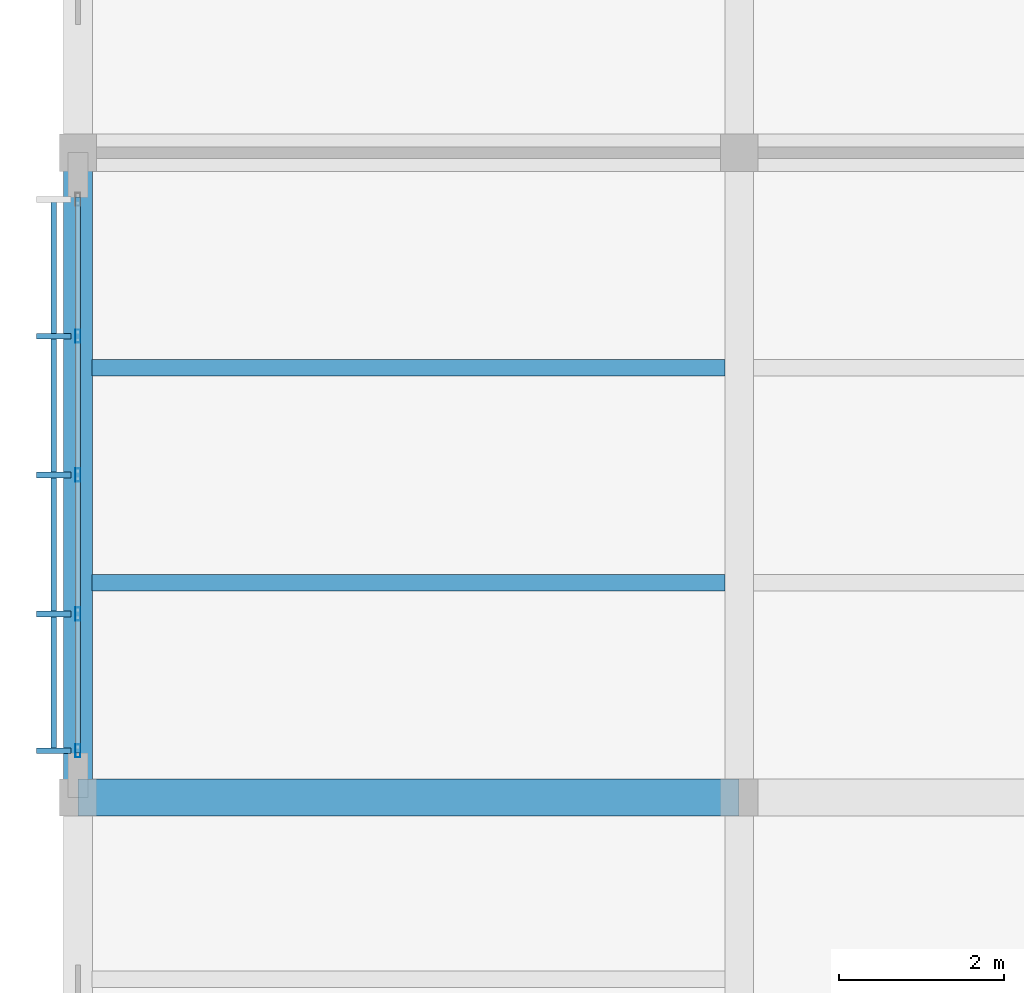
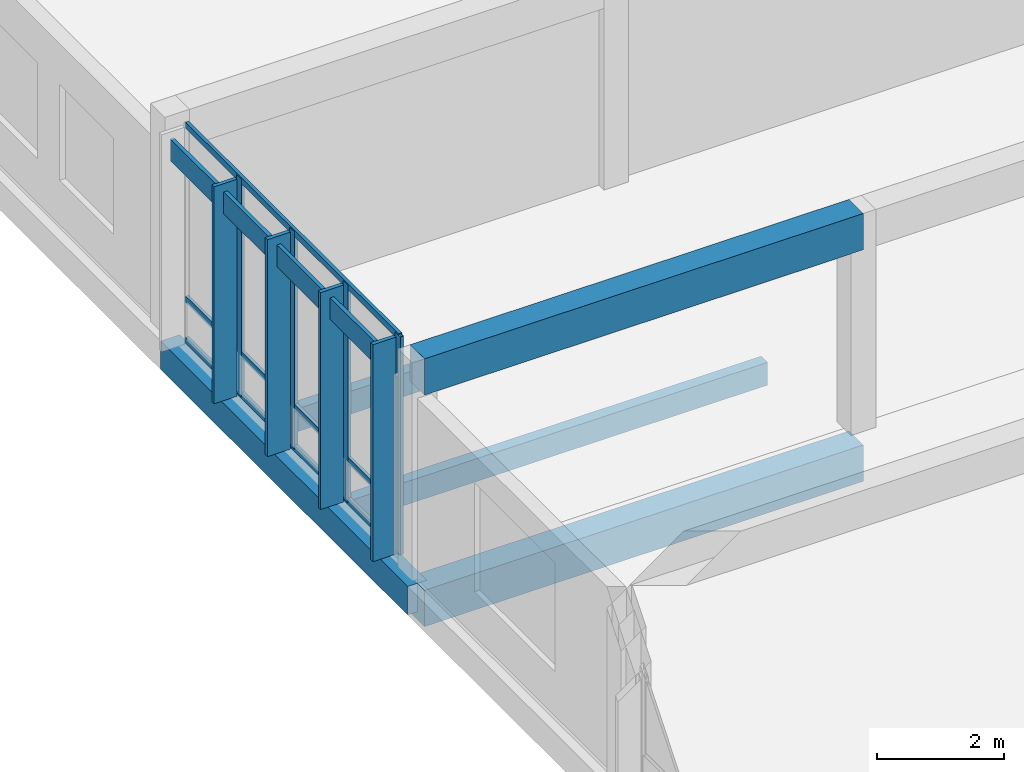
# One storey, part 11 of 107: 12 members, 5 beams, 1 element without a shape of its own.
"""IFC4 building model written with IfcOpenShell, lengths in metres."""

from ifc_helpers import new_model, si_unit, direction, frame, origin, origin_2d, place, context, subcontext, project, spatial, rectangle, hollow_rectangle, extrude, material, material_profile, profile_set, type_object, element, aggregate, save


model = new_model("IFC4")

# Units and contexts
model_context = context("Model", 3, precision=1e-05, world=origin(), true_north=direction((0.0, 1.0)))
body_context = subcontext(model_context, "Body", "Model", "MODEL_VIEW")
ifc_project = project(units=[si_unit("LENGTHUNIT", "METRE"), si_unit("AREAUNIT", "SQUARE_METRE"), si_unit("VOLUMEUNIT", "CUBIC_METRE"), si_unit("PLANEANGLEUNIT", "RADIAN"), si_unit("MASSUNIT", "GRAM", prefix="KILO")], contexts=[model_context])

# Site, building, storey
site_placement = place(None, origin())
site = spatial("IfcSite", under=ifc_project, at=site_placement, CompositionType="ELEMENT")
building_placement = place(site_placement, origin())
building = spatial("IfcBuilding", under=site, at=building_placement, Name="Chiffa Square Polytechnic", CompositionType="ELEMENT")
storey_placement = place(building_placement, frame((0.0, 0.0, 13.800048828125)))
storey = spatial("IfcBuildingStorey", under=building, at=storey_placement, Name="L03", CompositionType="ELEMENT", Elevation=13.800048828125)

# Beams
ifc_material_1 = material(Name="Concrete C35/45", Category="concrete")
ifc_material_profile_1 = material_profile(ifc_material_1, rectangle(XDim=0.35009765625, YDim=0.550048828125, at=origin_2d()), Name="RC 350x550")
ifc_profile_set_1 = profile_set([ifc_material_profile_1], Name="Concrete C35/45")
beam_type_1 = type_object("IfcBeamType", Name="BM-RC-350X550", PredefinedType="BEAM", material=ifc_profile_set_1)
beam_placement = place(storey_placement, frame((0.0, 57.60009765625, -0.53515625), z_axis=(0.0, 1.0, 0.0), x_axis=(-1.0, 0.0, 0.0)))
element("IfcBeam", 1, at=beam_placement, inside=storey, type_object=beam_type_1, Name="Primary floor girder BM-V6-L03-Y-0000-0576", PredefinedType="BEAM", context=body_context, shape_type="SweptSolid", body=[
    extrude(rectangle(XDim=0.35009765625, YDim=0.550048828125, at=origin_2d()), origin(), (0.0, 0.0, 1.0), 7.7998046875),
])
ifc_material_profile_2 = material_profile(ifc_material_1, rectangle(XDim=0.449951171875, YDim=0.699951171875, at=origin_2d()), Name="RC 450x700")
ifc_profile_set_2 = profile_set([ifc_material_profile_2], Name="Concrete C35/45")
beam_type_2 = type_object("IfcBeamType", Name="BM-RC-450X700", PredefinedType="BEAM", material=ifc_profile_set_2)
for number, where, z_axis, x_axis, name in (
    (2, (0.0, 57.60009765625, -0.610107421875), (1.0, 0.0, 0.0), (0.0, 1.0, 0.0), "Primary floor girder BM-V6-L03-X-0000-0576"),
    (3, (0.0, 57.60009765625, 3.849853515625), (1.0, 0.0, 0.0), (0.0, 1.0, 0.0), "Sawtooth monitor sill beam BM-V6-SAWTIE-Y3-1"),
):
    element("IfcBeam", number, at=place(storey_placement, frame(where, z_axis=z_axis, x_axis=x_axis)), inside=storey, type_object=beam_type_2, Name=name, PredefinedType="BEAM", context=body_context, shape_type="SweptSolid", body=[
        extrude(rectangle(XDim=0.449951171875, YDim=0.699951171875, at=origin_2d()), origin(), (0.0, 0.0, 1.0), 8.0),
    ])

# Curtain wall, members
ifc_material_2 = material(Name="Aluminium EN AW-6060 T66 and glulam shading", Category="wood")
curtain_wall_type = type_object("IfcCurtainWallType", Name="CW-VERT-300X380", PredefinedType="USERDEFINED", material=ifc_material_2)
curtain_wall_placement = place(storey_placement, origin())
curtain_wall = element("IfcCurtainWall", 4, at=curtain_wall_placement, inside=storey, type_object=curtain_wall_type, Name="Curtain wall CW-V6-L03-275", ObjectType="CURTAIN WALL", PredefinedType="USERDEFINED")
ifc_material_3 = material(Name="Aluminium EN AW-6060 T66", Category="aluminium")
ifc_material_profile_3 = material_profile(ifc_material_3, hollow_rectangle(XDim=0.06005859375, YDim=0.159912109375, WallThickness=0.00390625, at=origin_2d()), Name="ALU 60x160x4")
ifc_profile_set_3 = profile_set([ifc_material_profile_3], Name="Aluminium EN AW-6060 T66")
member_type_1 = type_object("IfcMemberType", Name="CWM-ALU-65X150", PredefinedType="MULLION", material=ifc_profile_set_3)
member_1_placement = place(storey_placement, frame((0.0, 63.179931640625, 0.0), z_axis=(0.0, 0.0, 1.0), x_axis=(1.0, 0.0, 0.0)))
member_1 = element("IfcMember", 5, at=member_1_placement, type_object=member_type_1, Name="Curtain wall mullion CW-V6-L03-275-M01", PredefinedType="MULLION", context=body_context, shape_type="SweptSolid", body=[
    extrude(hollow_rectangle(XDim=0.06005859375, YDim=0.159912109375, WallThickness=0.00390625, at=origin_2d()), origin(), (0.0, 0.0, 1.0), 4.199951171875),
])
member_2_placement = place(storey_placement, frame((0.0, 61.5, 0.0), z_axis=(0.0, 0.0, 1.0), x_axis=(1.0, 0.0, 0.0)))
member_2 = element("IfcMember", 6, at=member_2_placement, type_object=member_type_1, Name="Curtain wall mullion CW-V6-L03-275-M02", PredefinedType="MULLION", context=body_context, shape_type="SweptSolid", body=[
    extrude(hollow_rectangle(XDim=0.06005859375, YDim=0.159912109375, WallThickness=0.00390625, at=origin_2d()), origin(), (0.0, 0.0, 1.0), 4.199951171875),
])
member_3_placement = place(storey_placement, frame((0.0, 59.820068359375, 0.0), z_axis=(0.0, 0.0, 1.0), x_axis=(1.0, 0.0, 0.0)))
member_3 = element("IfcMember", 7, at=member_3_placement, type_object=member_type_1, Name="Curtain wall mullion CW-V6-L03-275-M03", PredefinedType="MULLION", context=body_context, shape_type="SweptSolid", body=[
    extrude(hollow_rectangle(XDim=0.06005859375, YDim=0.159912109375, WallThickness=0.00390625, at=origin_2d()), origin(), (0.0, 0.0, 1.0), 4.199951171875),
])
member_4_placement = place(storey_placement, frame((0.0, 58.1650390625, 0.0), z_axis=(0.0, 0.0, 1.0), x_axis=(1.0, 0.0, 0.0)))
member_4 = element("IfcMember", 8, at=member_4_placement, type_object=member_type_1, Name="Curtain wall mullion CW-V6-L03-275-M04", PredefinedType="MULLION", context=body_context, shape_type="SweptSolid", body=[
    extrude(hollow_rectangle(XDim=0.06005859375, YDim=0.159912109375, WallThickness=0.00390625, at=origin_2d()), origin(), (0.0, 0.0, 1.0), 4.199951171875),
])
ifc_material_4 = material(Name="Glulam GL28h", Category="wood")
ifc_material_profile_4 = material_profile(ifc_material_4, rectangle(XDim=0.070068359375, YDim=0.419921875, at=origin_2d()), Name="GL28h 70x420")
ifc_profile_set_4 = profile_set([ifc_material_profile_4], Name="Glulam GL28h")
member_type_2 = type_object("IfcMemberType", Name="CWM-GL-70X420", PredefinedType="MULLION", material=ifc_profile_set_4)
member_5_placement = place(storey_placement, frame((-0.2919921875, 63.179931640625, 0.010009765625), z_axis=(0.0, 0.0, 1.0), x_axis=(0.0, -1.0, 0.0)))
member_5 = element("IfcMember", 9, at=member_5_placement, type_object=member_type_2, Name="Exterior glulam solar fin CW-V6-L03-275-FN01", PredefinedType="MULLION", context=body_context, shape_type="SweptSolid", body=[
    extrude(rectangle(XDim=0.070068359375, YDim=0.419921875, at=origin_2d()), origin(), (0.0, 0.0, 1.0), 4.179931640625),
])
member_6_placement = place(storey_placement, frame((-0.2919921875, 61.5, 0.010009765625), z_axis=(0.0, 0.0, 1.0), x_axis=(0.0, -1.0, 0.0)))
member_6 = element("IfcMember", 10, at=member_6_placement, type_object=member_type_2, Name="Exterior glulam solar fin CW-V6-L03-275-FN02", PredefinedType="MULLION", context=body_context, shape_type="SweptSolid", body=[
    extrude(rectangle(XDim=0.070068359375, YDim=0.419921875, at=origin_2d()), origin(), (0.0, 0.0, 1.0), 4.179931640625),
])
member_7_placement = place(storey_placement, frame((-0.2919921875, 59.820068359375, 0.010009765625), z_axis=(0.0, 0.0, 1.0), x_axis=(0.0, -1.0, 0.0)))
member_7 = element("IfcMember", 11, at=member_7_placement, type_object=member_type_2, Name="Exterior glulam solar fin CW-V6-L03-275-FN03", PredefinedType="MULLION", context=body_context, shape_type="SweptSolid", body=[
    extrude(rectangle(XDim=0.070068359375, YDim=0.419921875, at=origin_2d()), origin(), (0.0, 0.0, 1.0), 4.179931640625),
])
member_8_placement = place(storey_placement, frame((-0.2919921875, 58.1650390625, 0.010009765625), z_axis=(0.0, 0.0, 1.0), x_axis=(0.0, -1.0, 0.0)))
member_8 = element("IfcMember", 12, at=member_8_placement, type_object=member_type_2, Name="Exterior glulam solar fin CW-V6-L03-275-FN04", PredefinedType="MULLION", context=body_context, shape_type="SweptSolid", body=[
    extrude(rectangle(XDim=0.070068359375, YDim=0.419921875, at=origin_2d()), origin(), (0.0, 0.0, 1.0), 4.179931640625),
])
ifc_material_profile_5 = material_profile(ifc_material_3, hollow_rectangle(XDim=0.06005859375, YDim=0.1201171875, WallThickness=0.00390625, at=origin_2d()), Name="ALU 60x120x4")
ifc_profile_set_5 = profile_set([ifc_material_profile_5], Name="Aluminium EN AW-6060 T66")
member_type_3 = type_object("IfcMemberType", Name="CWT-ALU-65X120", PredefinedType="USERDEFINED", material=ifc_profile_set_5)
member_9_placement = place(storey_placement, frame((0.0, 64.862060546875, 0.030029296875), z_axis=(0.0, -1.0, 0.0), x_axis=(1.0, 0.0, 0.0)))
member_9 = element("IfcMember", 13, at=member_9_placement, type_object=member_type_3, Name="Curtain wall transom CW-V6-L03-275-T01", ObjectType="TRANSOM", PredefinedType="USERDEFINED", context=body_context, shape_type="SweptSolid", body=[
    extrude(hollow_rectangle(XDim=0.06005859375, YDim=0.1201171875, WallThickness=0.00390625, at=origin_2d()), origin(), (0.0, 0.0, 1.0), 6.72412109375),
])
member_10_placement = place(storey_placement, frame((0.0, 64.862060546875, 0.820068359375), z_axis=(0.0, -1.0, 0.0), x_axis=(1.0, 0.0, 0.0)))
member_10 = element("IfcMember", 14, at=member_10_placement, type_object=member_type_3, Name="Curtain wall transom CW-V6-L03-275-T02", ObjectType="TRANSOM", PredefinedType="USERDEFINED", context=body_context, shape_type="SweptSolid", body=[
    extrude(hollow_rectangle(XDim=0.06005859375, YDim=0.1201171875, WallThickness=0.00390625, at=origin_2d()), origin(), (0.0, 0.0, 1.0), 6.72412109375),
])
member_11_placement = place(storey_placement, frame((0.0, 64.862060546875, 4.169921875), z_axis=(0.0, -1.0, 0.0), x_axis=(1.0, 0.0, 0.0)))
member_11 = element("IfcMember", 15, at=member_11_placement, type_object=member_type_3, Name="Curtain wall transom CW-V6-L03-275-T03", ObjectType="TRANSOM", PredefinedType="USERDEFINED", context=body_context, shape_type="SweptSolid", body=[
    extrude(hollow_rectangle(XDim=0.06005859375, YDim=0.1201171875, WallThickness=0.00390625, at=origin_2d()), origin(), (0.0, 0.0, 1.0), 6.72412109375),
])
ifc_material_profile_6 = material_profile(ifc_material_4, rectangle(XDim=0.070068359375, YDim=0.419921875, at=origin_2d()), Name="GL28h 70x420")
ifc_profile_set_6 = profile_set([ifc_material_profile_6], Name="Glulam GL28h")
member_type_4 = type_object("IfcMemberType", Name="CWT-GL-70X420", PredefinedType="USERDEFINED", material=ifc_profile_set_6)
member_12_placement = place(storey_placement, frame((-0.2919921875, 64.8349609375, 3.820068359375), z_axis=(0.0, -1.0, 0.0), x_axis=(1.0, 0.0, 0.0)))
member_12 = element("IfcMember", 16, at=member_12_placement, type_object=member_type_4, Name="Exterior glulam brise-soleil CW-V6-L03-275-BS01", ObjectType="TRANSOM", PredefinedType="USERDEFINED", context=body_context, shape_type="SweptSolid", body=[
    extrude(rectangle(XDim=0.070068359375, YDim=0.419921875, at=origin_2d()), origin(), (0.0, 0.0, 1.0), 6.669921875),
])
aggregate(curtain_wall, [member_1, member_5, member_2, member_6, member_3, member_7, member_4, member_8, member_9, member_10, member_11, member_12])

# Beams
ifc_material_profile_7 = material_profile(ifc_material_4, rectangle(XDim=0.199951171875, YDim=0.43994140625, at=origin_2d()), Name="GL28h 200x440")
ifc_profile_set_7 = profile_set([ifc_material_profile_7], Name="Glulam GL28h")
beam_type_3 = type_object("IfcBeamType", Name="JST-GL-200X440", PredefinedType="JOIST", material=ifc_profile_set_7)
for number, where, z_axis, x_axis, name in (
    (17, (0.173095703125, 60.199951171875, -0.47998046875), (1.0, 0.0, 0.0), (0.0, 1.0, 0.0), "Secondary floor joist JST-V6-L03-0000-0602"),
    (18, (0.173095703125, 62.800048828125, -0.47998046875), (1.0, 0.0, 0.0), (0.0, 1.0, 0.0), "Secondary floor joist JST-V6-L03-0000-0628"),
):
    element("IfcBeam", number, at=place(storey_placement, frame(where, z_axis=z_axis, x_axis=x_axis)), inside=storey, type_object=beam_type_3, Name=name, PredefinedType="JOIST", context=body_context, shape_type="SweptSolid", body=[
        extrude(rectangle(XDim=0.199951171875, YDim=0.43994140625, at=origin_2d()), origin(), (0.0, 0.0, 1.0), 7.65380859375),
    ])

save(model, "model.ifc")
